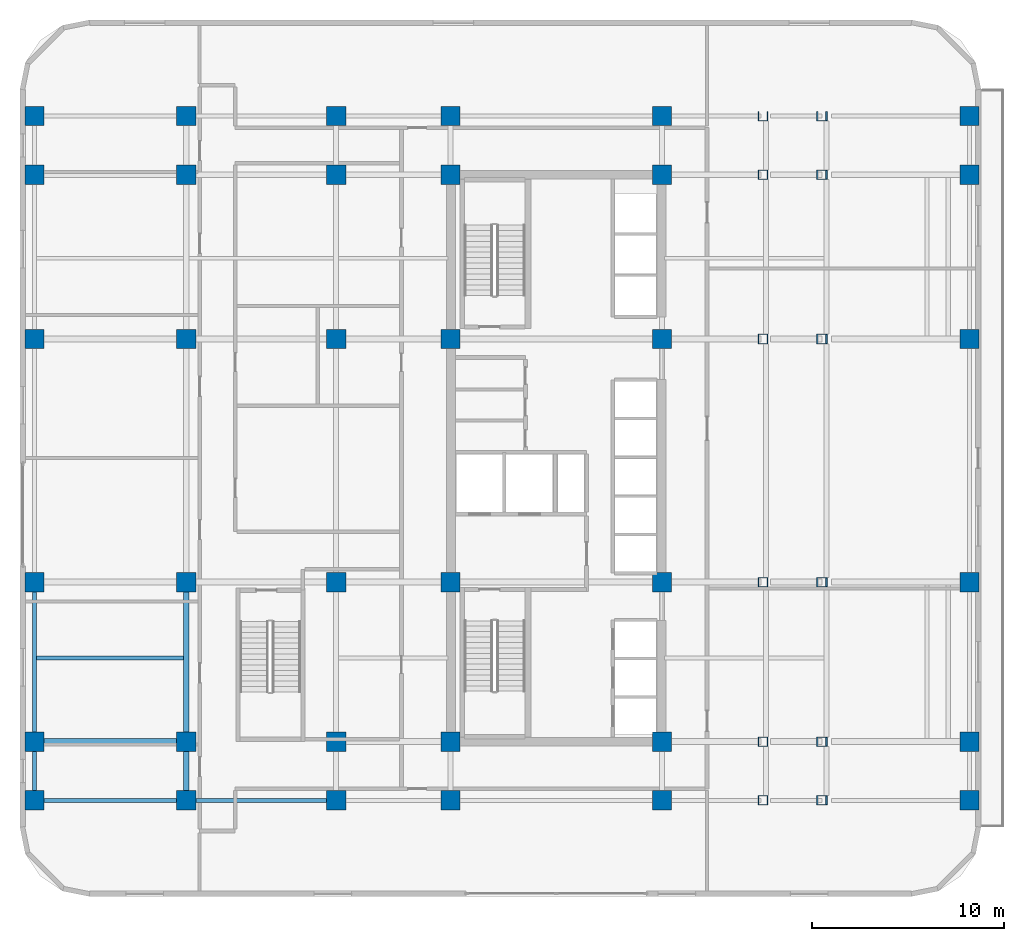
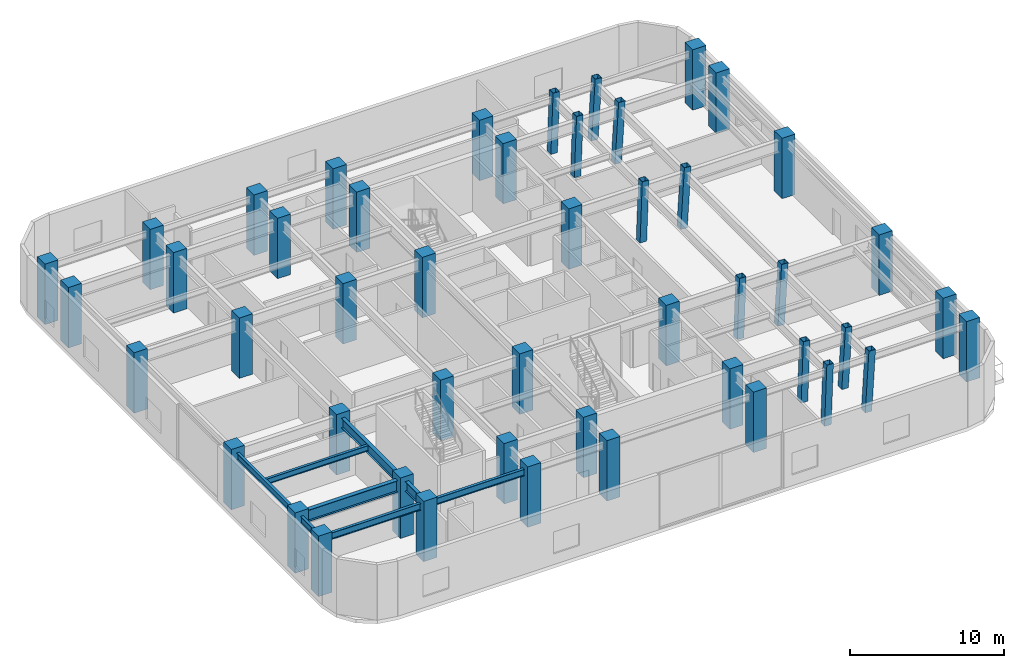
# One storey, part 1 of 10: 48 columns, 8 beams.
"""IFC4 building model written with IfcOpenShell, lengths in metres."""

import ifcopenshell
import ifcopenshell.guid

model = None  # the IFC model being written
_history = None  # IfcOwnerHistory: only IFC2X3 demands one
_inside = {}  # id of a spatial element -> (the spatial element, [elements in it])
_under = {}  # id of a project, library or spatial element -> (it, [spatial elements below it])
_declared = {}  # id of a project -> (the project, [libraries it declares])
_typed = {}  # id of a type object -> (the type object, [elements of that type])
_made_of = {}  # id of a material, layer set ... -> (it, [elements and type objects made of it])


def new_model(schema):
    """Start an empty IFC model of exactly this schema.

    Asked for "IFC4X3", IfcOpenShell would pick the latest addendum, in which some entities
    have other attributes; the version numbers below select the first issue.
    IFC2X3 requires an IfcOwnerHistory on every rooted entity: one is made here for all.
    """
    global model, _history
    if schema == "IFC4X3":
        model = ifcopenshell.file(schema_version=(4, 3, 0, 0))
    else:
        model = ifcopenshell.file(schema=schema)
    _inside.clear()
    _under.clear()
    _declared.clear()
    _typed.clear()
    _made_of.clear()
    _history = None
    if model.schema == "IFC2X3":
        org = make("IfcOrganization", Name="unknown")
        user = make(
            "IfcPersonAndOrganization",
            ThePerson=make("IfcPerson", FamilyName="unknown"),
            TheOrganization=org,
        )
        app = make(
            "IfcApplication",
            ApplicationDeveloper=org,
            Version="unknown",
            ApplicationFullName="unknown",
            ApplicationIdentifier="unknown",
        )
        _history = make(
            "IfcOwnerHistory",
            OwningUser=user,
            OwningApplication=app,
            ChangeAction="ADDED",
            CreationDate=0,
        )
    return model


def make(cls, **values):
    """One entity of the class cls with the attributes given. An attribute that is None is left unset."""
    return model.create_entity(
        cls, **{name: value for name, value in values.items() if value is not None}
    )


def rooted(cls, **values):
    """An entity with a GlobalId (a new one), such as an element, a storey or a relation."""
    return make(cls, GlobalId=ifcopenshell.guid.new(), OwnerHistory=_history, **values)


def si_unit(unit_type, name, prefix=None):
    """IfcSIUnit, for example si_unit("LENGTHUNIT", "METRE", prefix="MILLI")."""
    return make("IfcSIUnit", UnitType=unit_type, Prefix=prefix, Name=name)


def assignment(units):
    """IfcUnitAssignment: the units of a project."""
    return None if units is None else make("IfcUnitAssignment", Units=units)


def point(xyz):
    """IfcCartesianPoint."""
    return None if xyz is None else make("IfcCartesianPoint", Coordinates=xyz)


def direction(xyz):
    """IfcDirection."""
    return None if xyz is None else make("IfcDirection", DirectionRatios=xyz)


def frame(location, z_axis=None, x_axis=None):
    """IfcAxis2Placement3D, a coordinate frame: its origin and axes. An axis left out is left unset."""
    return make(
        "IfcAxis2Placement3D",
        Location=point(location),
        Axis=direction(z_axis),
        RefDirection=direction(x_axis),
    )


def frame_2d(location, x_axis=None):
    """IfcAxis2Placement2D, a coordinate frame in the plane: its origin and x axis."""
    return make(
        "IfcAxis2Placement2D", Location=point(location), RefDirection=direction(x_axis)
    )


def origin():
    """The frame at (0, 0, 0) with its axes left unset."""
    return frame((0.0, 0.0, 0.0))


def origin_2d():
    """The frame at (0, 0) in the plane with its x axis left unset."""
    return frame_2d((0.0, 0.0))


def place(relative_to, where):
    """IfcLocalPlacement: puts the frame where relative to a parent placement (None: the world)."""
    return make(
        "IfcLocalPlacement", PlacementRelTo=relative_to, RelativePlacement=where
    )


def context(
    kind, dimensions, precision=None, world=None, true_north=None, identifier=None
):
    """IfcGeometricRepresentationContext, for example the 3D "Model" context."""
    return make(
        "IfcGeometricRepresentationContext",
        ContextIdentifier=identifier,
        ContextType=kind,
        CoordinateSpaceDimension=dimensions,
        Precision=precision,
        WorldCoordinateSystem=world,
        TrueNorth=true_north,
    )


def subcontext(parent, identifier, kind, view, scale=None):
    """IfcGeometricRepresentationSubContext, for example "Body" below "Model"."""
    return make(
        "IfcGeometricRepresentationSubContext",
        ContextIdentifier=identifier,
        ContextType=kind,
        ParentContext=parent,
        TargetScale=scale,
        TargetView=view,
    )


def project(units=None, contexts=None):
    """IfcProject with its units and contexts."""
    return rooted(
        "IfcProject",
        Name="project",
        RepresentationContexts=contexts,
        UnitsInContext=assignment(units),
    )


def spatial(cls, under=None, at=None, **own):
    """A site, building, storey or space (cls), placed at a placement, below another one or the project."""
    s = rooted(cls, ObjectPlacement=at, **own)
    if under is not None:
        _under.setdefault(under.id(), (under, []))[1].append(s)
    return s


def profile(cls, at=None, kind="AREA", **sizes):
    """A parametric profile (cls). Its sizes go by their IFC names, for example OverallWidth=200.0."""
    return make(cls, ProfileType=kind, Position=at, **sizes)


def rectangle(**sizes):
    """IfcRectangleProfileDef."""
    return profile("IfcRectangleProfileDef", **sizes)


def hollow_rectangle(**sizes):
    """IfcRectangleHollowProfileDef."""
    return profile("IfcRectangleHollowProfileDef", **sizes)


def i_section(**sizes):
    """IfcIShapeProfileDef."""
    return profile("IfcIShapeProfileDef", **sizes)


def extrude(swept, where, along, depth):
    """IfcExtrudedAreaSolid: the profile swept, set in the frame where, extruded along a direction by depth."""
    return make(
        "IfcExtrudedAreaSolid",
        SweptArea=swept,
        Position=where,
        ExtrudedDirection=direction(along),
        Depth=depth,
    )


def shape(context_of_items, identifier, shape_type, items):
    """IfcShapeRepresentation: the items that make up one representation, for example the "Body"."""
    return make(
        "IfcShapeRepresentation",
        ContextOfItems=context_of_items,
        RepresentationIdentifier=identifier,
        RepresentationType=shape_type,
        Items=items,
    )


def material(Name=None, Category=None):
    """IfcMaterial."""
    return make("IfcMaterial", Name=Name, Category=Category)


def material_profile(
    of_material, cross_section, Name=None, Category=None, Priority=None
):
    """IfcMaterialProfile: a cross section and its material."""
    return make(
        "IfcMaterialProfile",
        Name=Name,
        Material=of_material,
        Profile=cross_section,
        Priority=Priority,
        Category=Category,
    )


def profile_set(profiles, Name=None, composite=None):
    """IfcMaterialProfileSet."""
    return make(
        "IfcMaterialProfileSet",
        Name=Name,
        MaterialProfiles=profiles,
        CompositeProfile=composite,
    )


def made_of(thing, what):
    """Note that an element or type object is made of a material, layer set ...; save() writes the relation."""
    if what is not None:
        _made_of.setdefault(what.id(), (what, []))[1].append(thing)
    return thing


def type_object(cls, material=None, **own):
    """A type object (cls), such as IfcWallType, which elements share."""
    return made_of(rooted(cls, **own), material)


def element(
    cls,
    number,
    at=None,
    inside=None,
    cuts=None,
    type_object=None,
    material=None,
    context=None,
    identifier="Body",
    shape_type=None,
    held_by="IfcProductDefinitionShape",
    body=None,
    shapes=None,
    **own,
):
    """One element of the class cls, such as IfcWall. Its Tag is "e" and its number.

    at: its placement. inside: the storey or other place that contains it. cuts: it is an
    opening in that element (IfcRelVoidsElement). A single representation is given by context,
    identifier, shape_type and body (its items); several are given by shapes. held_by: the class
    of the entity that holds the representations. save() writes the other relations.
    """
    e = rooted(cls, Tag="e%d" % number, ObjectPlacement=at, **own)
    if body is not None:
        shapes = [shape(context, identifier, shape_type, body)]
    if shapes is not None:
        e.Representation = make(held_by, Representations=shapes)
    if inside is not None:
        _inside.setdefault(inside.id(), (inside, []))[1].append(e)
    if cuts is not None:
        rooted(
            "IfcRelVoidsElement", RelatingBuildingElement=cuts, RelatedOpeningElement=e
        )
    if type_object is not None:
        _typed.setdefault(type_object.id(), (type_object, []))[1].append(e)
    return made_of(e, material)


def aggregate(whole, parts):
    """IfcRelAggregates: a whole, such as a stair, and the parts it consists of."""
    return rooted("IfcRelAggregates", RelatingObject=whole, RelatedObjects=parts)


def save(model, path):
    """Write the relations noted so far, then the file.

    IfcRelAggregates (storeys below a building ...), IfcRelContainedInSpatialStructure (elements
    in a storey), IfcRelDefinesByType, IfcRelAssociatesMaterial and IfcRelDeclares: one each for
    every whole, place, type object, material and project.
    """
    for whole, parts in _under.values():
        aggregate(whole, parts)
    for where, things in _inside.values():
        rooted(
            "IfcRelContainedInSpatialStructure",
            RelatedElements=things,
            RelatingStructure=where,
        )
    for kind, things in _typed.values():
        rooted("IfcRelDefinesByType", RelatedObjects=things, RelatingType=kind)
    for what, things in _made_of.values():
        rooted("IfcRelAssociatesMaterial", RelatedObjects=things, RelatingMaterial=what)
    for by, libraries in _declared.values():
        rooted("IfcRelDeclares", RelatingContext=by, RelatedDefinitions=libraries)
    model.write(path)


model = new_model("IFC4")

# Units and contexts
model_context = context("Model", 3, precision=1e-05, world=origin(), true_north=direction((0.0, 1.0)))
body_context = subcontext(model_context, "Body", "Model", "MODEL_VIEW")
ifc_project = project(units=[si_unit("LENGTHUNIT", "METRE"), si_unit("AREAUNIT", "SQUARE_METRE"), si_unit("VOLUMEUNIT", "CUBIC_METRE"), si_unit("PLANEANGLEUNIT", "RADIAN"), si_unit("MASSUNIT", "GRAM", prefix="KILO")], contexts=[model_context])

# Site, building, storey
site_placement = place(None, origin())
site = spatial("IfcSite", under=ifc_project, at=site_placement, CompositionType="ELEMENT")
building_placement = place(site_placement, origin())
building = spatial("IfcBuilding", under=site, at=building_placement, Name="Ochreholt Gables", CompositionType="ELEMENT")
storey_placement = place(building_placement, frame((0.0, 0.0, 14.39990234375)))
storey = spatial("IfcBuildingStorey", under=building, at=storey_placement, Name="L03", CompositionType="ELEMENT", Elevation=14.39990234375)

# Columns
ifc_material_1 = material(Name="Steel CSA G40.21 350W", Category="steel")
ifc_material_profile_1 = material_profile(ifc_material_1, hollow_rectangle(XDim=0.5, YDim=0.5, WallThickness=0.02197265625, at=origin_2d()), Name="HSS500X500X22")
ifc_profile_set_1 = profile_set([ifc_material_profile_1], Name="Steel CSA G40.21 350W")
column_type_1 = type_object("IfcColumnType", Name="COL-HSS500-RAK", PredefinedType="COLUMN", material=ifc_profile_set_1)
for number, where, z_axis, x_axis, name in (
    (1, (40.43994140625, 9.25, 0.0), (0.034971728386, 0.0, 0.99938830202), (0.0, 1.0, 0.0), "L03 Column EMY2"),
    (2, (40.43994140625, 17.550048828125, 0.0), (0.034971728386, 0.0, 0.99938830202), (0.0, 1.0, 0.0), "L03 Column EMY3"),
    (3, (40.43994140625, 30.199951171875, 0.0), (0.034971728386, 0.0, 0.99938830202), (0.0, 1.0, 0.0), "L03 Column EMY4"),
    (4, (40.43994140625, 38.75, 0.0), (0.034971728386, 0.0, 0.99938830202), (0.0, 1.0, 0.0), "L03 Column EMY5"),
):
    element("IfcColumn", number, at=place(storey_placement, frame(where, z_axis=z_axis, x_axis=x_axis)), inside=storey, type_object=column_type_1, Name=name, PredefinedType="COLUMN", context=body_context, shape_type="SweptSolid", body=[
        extrude(hollow_rectangle(XDim=0.5, YDim=0.5, WallThickness=0.02197265625, at=origin_2d()), origin(), (0.0, 0.0, 1.0), 4.802978515625),
    ])
for number, where, z_axis, x_axis, name in (
    (5, (43.491943359375, 9.25, 0.0), (0.057936190876, 0.0, 0.998320288177), (0.0, 1.0, 0.0), "L03 Column EEY2"),
    (6, (43.491943359375, 17.550048828125, 0.0), (0.057936190876, 0.0, 0.998320288177), (0.0, 1.0, 0.0), "L03 Column EEY3"),
    (7, (43.491943359375, 30.199951171875, 0.0), (0.057936190876, 0.0, 0.998320288177), (0.0, 1.0, 0.0), "L03 Column EEY4"),
    (8, (43.491943359375, 38.75, 0.0), (0.057936190876, 0.0, 0.998320288177), (0.0, 1.0, 0.0), "L03 Column EEY5"),
):
    element("IfcColumn", number, at=place(storey_placement, frame(where, z_axis=z_axis, x_axis=x_axis)), inside=storey, type_object=column_type_1, Name=name, PredefinedType="COLUMN", context=body_context, shape_type="SweptSolid", body=[
        extrude(hollow_rectangle(XDim=0.5, YDim=0.5, WallThickness=0.02197265625, at=origin_2d()), origin(), (0.0, 0.0, 1.0), 4.80810546875),
    ])
ifc_material_profile_2 = material_profile(ifc_material_1, hollow_rectangle(XDim=0.5, YDim=0.5, WallThickness=0.02197265625, at=origin_2d()), Name="HSS500X500X22")
ifc_profile_set_2 = profile_set([ifc_material_profile_2], Name="Steel CSA G40.21 350W")
column_type_2 = type_object("IfcColumnType", Name="COL-HSS500-RAKE", PredefinedType="COLUMN", material=ifc_profile_set_2)
for number, where, z_axis, x_axis, name in (
    (9, (40.43994140625, 6.199951171875, 0.0), (0.034971728386, 0.0, 0.99938830202), (0.0, 1.0, 0.0), "L03 Column EMY1"),
    (10, (40.43994140625, 41.800048828125, 0.0), (0.034971728386, 0.0, 0.99938830202), (0.0, 1.0, 0.0), "L03 Column EMY6"),
):
    element("IfcColumn", number, at=place(storey_placement, frame(where, z_axis=z_axis, x_axis=x_axis)), inside=storey, type_object=column_type_2, Name=name, PredefinedType="COLUMN", context=body_context, shape_type="SweptSolid", body=[
        extrude(hollow_rectangle(XDim=0.5, YDim=0.5, WallThickness=0.02197265625, at=origin_2d()), origin(), (0.0, 0.0, 1.0), 4.802978515625),
    ])
for number, where, z_axis, x_axis, name in (
    (11, (43.491943359375, 6.199951171875, 0.0), (0.057936190876, 0.0, 0.998320288177), (0.0, 1.0, 0.0), "L03 Column EEY1"),
    (12, (43.491943359375, 41.800048828125, 0.0), (0.057936190876, 0.0, 0.998320288177), (0.0, 1.0, 0.0), "L03 Column EEY6"),
):
    element("IfcColumn", number, at=place(storey_placement, frame(where, z_axis=z_axis, x_axis=x_axis)), inside=storey, type_object=column_type_2, Name=name, PredefinedType="COLUMN", context=body_context, shape_type="SweptSolid", body=[
        extrude(hollow_rectangle(XDim=0.5, YDim=0.5, WallThickness=0.02197265625, at=origin_2d()), origin(), (0.0, 0.0, 1.0), 4.80810546875),
    ])
ifc_material_2 = material(Name="Concrete 60 MPa", Category="concrete")
ifc_material_profile_3 = material_profile(ifc_material_2, rectangle(XDim=1.0, YDim=1.0, at=origin_2d()), Name="RC1000X1000")
ifc_profile_set_3 = profile_set([ifc_material_profile_3], Name="Concrete 60 MPa")
column_type_3 = type_object("IfcColumnType", Name="COL-RC1000-EXT", PredefinedType="COLUMN", material=ifc_profile_set_3)
for number, where, z_axis, x_axis, name in (
    (13, (2.550048828125, 6.199951171875, 0.0), (0.0, 0.0, 1.0), (1.0, 0.0, 0.0), "L03 Column W1Y1"),
    (14, (2.550048828125, 9.25, 0.0), (0.0, 0.0, 1.0), (1.0, 0.0, 0.0), "L03 Column W1Y2"),
    (15, (2.550048828125, 17.550048828125, 0.0), (0.0, 0.0, 1.0), (1.0, 0.0, 0.0), "L03 Column W1Y3"),
    (16, (2.550048828125, 30.199951171875, 0.0), (0.0, 0.0, 1.0), (1.0, 0.0, 0.0), "L03 Column W1Y4"),
    (17, (2.550048828125, 38.75, 0.0), (0.0, 0.0, 1.0), (1.0, 0.0, 0.0), "L03 Column W1Y5"),
    (18, (2.550048828125, 41.800048828125, 0.0), (0.0, 0.0, 1.0), (1.0, 0.0, 0.0), "L03 Column W1Y6"),
    (19, (10.449951171875, 6.199951171875, 0.0), (0.0, 0.0, 1.0), (1.0, 0.0, 0.0), "L03 Column W2Y1"),
    (20, (10.449951171875, 41.800048828125, 0.0), (0.0, 0.0, 1.0), (1.0, 0.0, 0.0), "L03 Column W2Y6"),
    (21, (18.25, 6.199951171875, 0.0), (0.0, 0.0, 1.0), (1.0, 0.0, 0.0), "L03 Column W3Y1"),
    (22, (18.25, 41.800048828125, 0.0), (0.0, 0.0, 1.0), (1.0, 0.0, 0.0), "L03 Column W3Y6"),
    (23, (24.199951171875, 6.199951171875, 0.0), (0.0, 0.0, 1.0), (1.0, 0.0, 0.0), "L03 Column C1Y1"),
    (24, (24.199951171875, 41.800048828125, 0.0), (0.0, 0.0, 1.0), (1.0, 0.0, 0.0), "L03 Column C1Y6"),
    (25, (35.199951171875, 6.199951171875, 0.0), (0.0, 0.0, 1.0), (1.0, 0.0, 0.0), "L03 Column C2Y1"),
    (26, (35.199951171875, 41.800048828125, 0.0), (0.0, 0.0, 1.0), (1.0, 0.0, 0.0), "L03 Column C2Y6"),
    (27, (51.199951171875, 6.199951171875, 0.0), (0.0, 0.0, 1.0), (1.0, 0.0, 0.0), "L03 Column E3Y1"),
    (28, (51.199951171875, 9.25, 0.0), (0.0, 0.0, 1.0), (1.0, 0.0, 0.0), "L03 Column E3Y2"),
    (29, (51.199951171875, 17.550048828125, 0.0), (0.0, 0.0, 1.0), (1.0, 0.0, 0.0), "L03 Column E3Y3"),
    (30, (51.199951171875, 30.199951171875, 0.0), (0.0, 0.0, 1.0), (1.0, 0.0, 0.0), "L03 Column E3Y4"),
    (31, (51.199951171875, 38.75, 0.0), (0.0, 0.0, 1.0), (1.0, 0.0, 0.0), "L03 Column E3Y5"),
    (32, (51.199951171875, 41.800048828125, 0.0), (0.0, 0.0, 1.0), (1.0, 0.0, 0.0), "L03 Column E3Y6"),
):
    element("IfcColumn", number, at=place(storey_placement, frame(where, z_axis=z_axis, x_axis=x_axis)), inside=storey, type_object=column_type_3, Name=name, PredefinedType="COLUMN", context=body_context, shape_type="SweptSolid", body=[
        extrude(rectangle(XDim=1.0, YDim=1.0, at=origin_2d()), origin(), (0.0, 0.0, 1.0), 4.800048828125),
    ])
ifc_material_profile_4 = material_profile(ifc_material_2, rectangle(XDim=1.0, YDim=1.0, at=origin_2d()), Name="RC1000X1000")
ifc_profile_set_4 = profile_set([ifc_material_profile_4], Name="Concrete 60 MPa")
column_type_4 = type_object("IfcColumnType", Name="COL-RC1000-INT", PredefinedType="COLUMN", material=ifc_profile_set_4)
for number, where, z_axis, x_axis, name in (
    (33, (10.449951171875, 9.25, 0.0), (0.0, 0.0, 1.0), (1.0, 0.0, 0.0), "L03 Column W2Y2"),
    (34, (10.449951171875, 17.550048828125, 0.0), (0.0, 0.0, 1.0), (1.0, 0.0, 0.0), "L03 Column W2Y3"),
    (35, (10.449951171875, 30.199951171875, 0.0), (0.0, 0.0, 1.0), (1.0, 0.0, 0.0), "L03 Column W2Y4"),
    (36, (10.449951171875, 38.75, 0.0), (0.0, 0.0, 1.0), (1.0, 0.0, 0.0), "L03 Column W2Y5"),
    (37, (18.25, 9.25, 0.0), (0.0, 0.0, 1.0), (1.0, 0.0, 0.0), "L03 Column W3Y2"),
    (38, (18.25, 17.550048828125, 0.0), (0.0, 0.0, 1.0), (1.0, 0.0, 0.0), "L03 Column W3Y3"),
    (39, (18.25, 30.199951171875, 0.0), (0.0, 0.0, 1.0), (1.0, 0.0, 0.0), "L03 Column W3Y4"),
    (40, (18.25, 38.75, 0.0), (0.0, 0.0, 1.0), (1.0, 0.0, 0.0), "L03 Column W3Y5"),
    (41, (24.199951171875, 9.25, 0.0), (0.0, 0.0, 1.0), (1.0, 0.0, 0.0), "L03 Column C1Y2"),
    (42, (24.199951171875, 17.550048828125, 0.0), (0.0, 0.0, 1.0), (1.0, 0.0, 0.0), "L03 Column C1Y3"),
    (43, (24.199951171875, 30.199951171875, 0.0), (0.0, 0.0, 1.0), (1.0, 0.0, 0.0), "L03 Column C1Y4"),
    (44, (24.199951171875, 38.75, 0.0), (0.0, 0.0, 1.0), (1.0, 0.0, 0.0), "L03 Column C1Y5"),
    (45, (35.199951171875, 9.25, 0.0), (0.0, 0.0, 1.0), (1.0, 0.0, 0.0), "L03 Column C2Y2"),
    (46, (35.199951171875, 17.550048828125, 0.0), (0.0, 0.0, 1.0), (1.0, 0.0, 0.0), "L03 Column C2Y3"),
    (47, (35.199951171875, 30.199951171875, 0.0), (0.0, 0.0, 1.0), (1.0, 0.0, 0.0), "L03 Column C2Y4"),
    (48, (35.199951171875, 38.75, 0.0), (0.0, 0.0, 1.0), (1.0, 0.0, 0.0), "L03 Column C2Y5"),
):
    element("IfcColumn", number, at=place(storey_placement, frame(where, z_axis=z_axis, x_axis=x_axis)), inside=storey, type_object=column_type_4, Name=name, PredefinedType="COLUMN", context=body_context, shape_type="SweptSolid", body=[
        extrude(rectangle(XDim=1.0, YDim=1.0, at=origin_2d()), origin(), (0.0, 0.0, 1.0), 4.800048828125),
    ])

# Beams
ifc_material_profile_5 = material_profile(ifc_material_1, i_section(OverallWidth=0.26806640625, OverallDepth=0.77001953125, WebThickness=0.015625, FlangeThickness=0.025390625, at=origin_2d()), Name="W760X196")
ifc_profile_set_5 = profile_set([ifc_material_profile_5], Name="Steel CSA G40.21 350W")
beam_type_1 = type_object("IfcBeamType", Name="BM-G-W760", PredefinedType="BEAM", material=ifc_profile_set_5)
beam_1_placement = place(storey_placement, frame((10.449951171875, 6.69970703125, 4.005126953125), z_axis=(0.0, 1.0, 0.0), x_axis=(-1.0, 0.0, 0.0)))
element("IfcBeam", 49, at=beam_1_placement, inside=storey, type_object=beam_type_1, Name="L03 Beam BG-L03-W2-Y1Y2", PredefinedType="BEAM", context=body_context, shape_type="SweptSolid", body=[
    extrude(i_section(OverallWidth=0.26806640625, OverallDepth=0.77001953125, WebThickness=0.015625, FlangeThickness=0.025390625, at=origin_2d()), origin(), (0.0, 0.0, 1.0), 2.05078125),
])
beam_2_placement = place(storey_placement, frame((10.449951171875, 9.74951171875, 4.005126953125), z_axis=(0.0, 1.0, 0.0), x_axis=(-1.0, 0.0, 0.0)))
element("IfcBeam", 50, at=beam_2_placement, inside=storey, type_object=beam_type_1, Name="L03 Beam BG-L03-W2-Y2Y3", PredefinedType="BEAM", context=body_context, shape_type="SweptSolid", body=[
    extrude(i_section(OverallWidth=0.26806640625, OverallDepth=0.77001953125, WebThickness=0.015625, FlangeThickness=0.025390625, at=origin_2d()), origin(), (0.0, 0.0, 1.0), 7.30078125),
])
ifc_material_profile_6 = material_profile(ifc_material_1, i_section(OverallWidth=0.30810546875, OverallDepth=0.927001953125, WebThickness=0.019287109375, FlangeThickness=0.031982421875, at=origin_2d()), Name="W920X289")
ifc_profile_set_6 = profile_set([ifc_material_profile_6], Name="Steel CSA G40.21 350W")
beam_type_2 = type_object("IfcBeamType", Name="BM-G-W920", PredefinedType="BEAM", material=ifc_profile_set_6)
beam_3_placement = place(storey_placement, frame((3.049560546875, 9.25, 3.926513671875), z_axis=(1.0, 0.0, 0.0), x_axis=(0.0, 1.0, 0.0)))
element("IfcBeam", 51, at=beam_3_placement, inside=storey, type_object=beam_type_2, Name="L03 Beam BG-L03-W1W2-Y2", PredefinedType="BEAM", context=body_context, shape_type="SweptSolid", body=[
    extrude(i_section(OverallWidth=0.30810546875, OverallDepth=0.927001953125, WebThickness=0.019287109375, FlangeThickness=0.031982421875, at=origin_2d()), origin(), (0.0, 0.0, 1.0), 6.90087890625),
])
ifc_material_profile_7 = material_profile(ifc_material_1, i_section(OverallWidth=0.18994140625, OverallDepth=0.45703125, WebThickness=0.009033203125, FlangeThickness=0.014404296875, at=origin_2d()), Name="W460X74")
ifc_profile_set_7 = profile_set([ifc_material_profile_7], Name="Steel CSA G40.21 350W")
beam_type_3 = type_object("IfcBeamType", Name="BM-J-W460B", PredefinedType="JOIST", material=ifc_profile_set_7)
beam_4_placement = place(storey_placement, frame((2.654052734375, 13.60009765625, 4.16162109375), z_axis=(1.0, 0.0, 0.0), x_axis=(0.0, 1.0, 0.0)))
element("IfcBeam", 52, at=beam_4_placement, inside=storey, type_object=beam_type_3, Name="L03 Beam BJ-L03-J1-W1W2", PredefinedType="JOIST", context=body_context, shape_type="SweptSolid", body=[
    extrude(i_section(OverallWidth=0.18994140625, OverallDepth=0.45703125, WebThickness=0.009033203125, FlangeThickness=0.014404296875, at=origin_2d()), origin(), (0.0, 0.0, 1.0), 7.662353515625),
])
ifc_material_profile_8 = material_profile(ifc_material_1, i_section(OverallWidth=0.208984375, OverallDepth=0.532958984375, WebThickness=0.01025390625, FlangeThickness=0.015625, at=origin_2d()), Name="W530X92")
ifc_profile_set_8 = profile_set([ifc_material_profile_8], Name="Steel CSA G40.21 350W")
beam_type_4 = type_object("IfcBeamType", Name="BM-SP-W530B", PredefinedType="SPANDREL", material=ifc_profile_set_8)
beam_5_placement = place(storey_placement, frame((3.049560546875, 6.199951171875, 4.12353515625), z_axis=(1.0, 0.0, 0.0), x_axis=(0.0, 1.0, 0.0)))
element("IfcBeam", 53, at=beam_5_placement, inside=storey, type_object=beam_type_4, Name="L03 Beam BG-L03-W1W2-Y1", PredefinedType="SPANDREL", context=body_context, shape_type="SweptSolid", body=[
    extrude(i_section(OverallWidth=0.208984375, OverallDepth=0.532958984375, WebThickness=0.01025390625, FlangeThickness=0.015625, at=origin_2d()), origin(), (0.0, 0.0, 1.0), 6.90087890625),
])
beam_6_placement = place(storey_placement, frame((10.94970703125, 6.199951171875, 4.12353515625), z_axis=(1.0, 0.0, 0.0), x_axis=(0.0, 1.0, 0.0)))
element("IfcBeam", 54, at=beam_6_placement, inside=storey, type_object=beam_type_4, Name="L03 Beam BG-L03-W2W3-Y1", PredefinedType="SPANDREL", context=body_context, shape_type="SweptSolid", body=[
    extrude(i_section(OverallWidth=0.208984375, OverallDepth=0.532958984375, WebThickness=0.01025390625, FlangeThickness=0.015625, at=origin_2d()), origin(), (0.0, 0.0, 1.0), 6.80078125),
])
beam_7_placement = place(storey_placement, frame((2.550048828125, 6.69970703125, 4.12353515625), z_axis=(0.0, 1.0, 0.0), x_axis=(-1.0, 0.0, 0.0)))
element("IfcBeam", 55, at=beam_7_placement, inside=storey, type_object=beam_type_4, Name="L03 Beam BG-L03-W1-Y1Y2", PredefinedType="SPANDREL", context=body_context, shape_type="SweptSolid", body=[
    extrude(i_section(OverallWidth=0.208984375, OverallDepth=0.532958984375, WebThickness=0.01025390625, FlangeThickness=0.015625, at=origin_2d()), origin(), (0.0, 0.0, 1.0), 2.05078125),
])
beam_8_placement = place(storey_placement, frame((2.550048828125, 9.74951171875, 4.12353515625), z_axis=(0.0, 1.0, 0.0), x_axis=(-1.0, 0.0, 0.0)))
element("IfcBeam", 56, at=beam_8_placement, inside=storey, type_object=beam_type_4, Name="L03 Beam BG-L03-W1-Y2Y3", PredefinedType="SPANDREL", context=body_context, shape_type="SweptSolid", body=[
    extrude(i_section(OverallWidth=0.208984375, OverallDepth=0.532958984375, WebThickness=0.01025390625, FlangeThickness=0.015625, at=origin_2d()), origin(), (0.0, 0.0, 1.0), 7.30078125),
])

save(model, "model.ifc")
